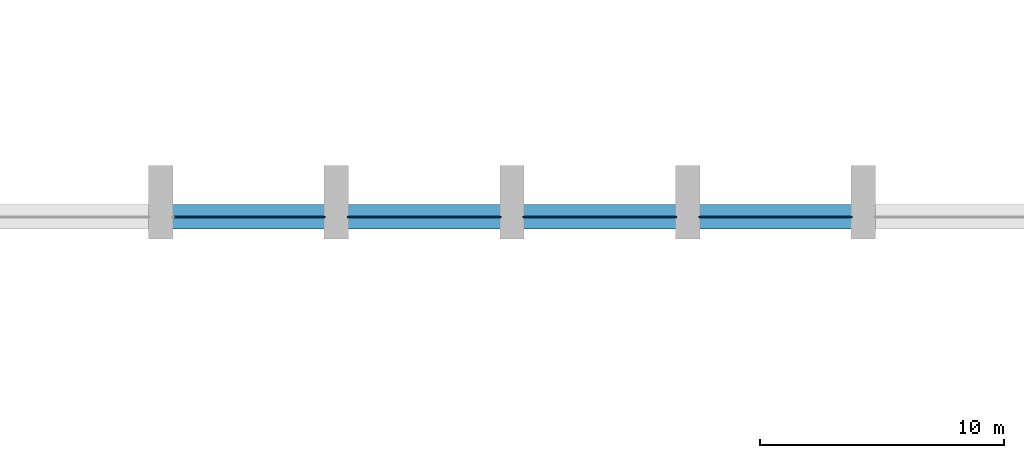
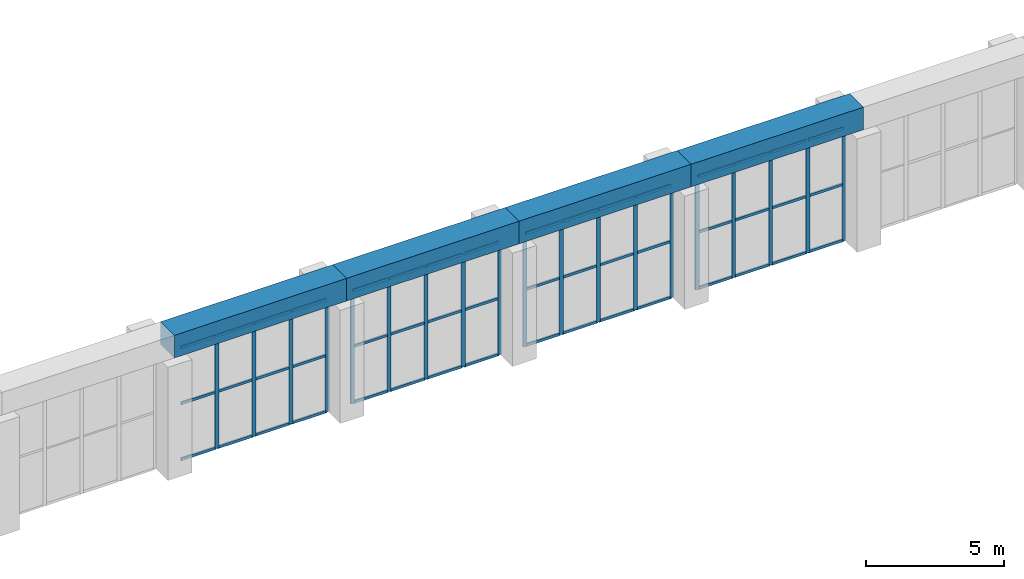
# One storey, part 8 of 44: 67 members, 4 beams, 4 elements without a shape of their own.
"""IFC4 building model written with IfcOpenShell, lengths in metres."""

from ifc_helpers import new_model, si_unit, direction, frame, origin, origin_2d, place, context, subcontext, project, spatial, rectangle, extrude, material, material_profile, profile_set, type_object, element, aggregate, save


model = new_model("IFC4")

# Units and contexts
model_context = context("Model", 3, precision=1e-05, world=origin(), true_north=direction((0.0, 1.0)))
body_context = subcontext(model_context, "Body", "Model", "MODEL_VIEW")
ifc_project = project(units=[si_unit("LENGTHUNIT", "METRE"), si_unit("AREAUNIT", "SQUARE_METRE"), si_unit("VOLUMEUNIT", "CUBIC_METRE"), si_unit("PLANEANGLEUNIT", "RADIAN"), si_unit("MASSUNIT", "GRAM", prefix="KILO")], contexts=[model_context])

# Site, building, storey
site_placement = place(None, origin())
site = spatial("IfcSite", under=ifc_project, at=site_placement, CompositionType="ELEMENT")
building_placement = place(site_placement, origin())
building = spatial("IfcBuilding", under=site, at=building_placement, Name="Vermilion Court Aquatics Centre", CompositionType="ELEMENT")
storey_placement = place(building_placement, frame((0.0, 0.0, 6.0)))
storey = spatial("IfcBuildingStorey", under=building, at=storey_placement, Name="L01", CompositionType="ELEMENT", Elevation=6.0)

# Curtain wall, members
ifc_material_1 = material(Name="Aluminium 6063-T5", Category="aluminium")
curtain_wall_type = type_object("IfcCurtainWallType", Name="Envelope curtain wall hall clerestory L01", PredefinedType="NOTDEFINED", material=ifc_material_1)
curtain_wall_1_placement = place(storey_placement, origin())
curtain_wall_1 = element("IfcCurtainWall", 1, at=curtain_wall_1_placement, inside=storey, type_object=curtain_wall_type, Name="Hall clerestory bay 3 L01", PredefinedType="NOTDEFINED")
ifc_material_2 = material(Name="Aluminium 6063-T5", Category="aluminium")
ifc_material_profile_1 = material_profile(ifc_material_2, rectangle(XDim=0.06005859375, YDim=0.159912109375, at=origin_2d()), Name="AL 60x160")
ifc_profile_set_1 = profile_set([ifc_material_profile_1], Name="Aluminium 6063-T5")
member_type_1 = type_object("IfcMemberType", Name="Envelope aluminium mullion 60x160", PredefinedType="MULLION", material=ifc_profile_set_1)
member_1_placement = place(storey_placement, frame((30.85009765625, 64.800048828125, 0.0), z_axis=(0.0, 0.0, 1.0), x_axis=(0.0, 1.0, 0.0)))
member_1 = element("IfcMember", 2, at=member_1_placement, type_object=member_type_1, Name="ECW2 mullion 2", PredefinedType="MULLION", context=body_context, shape_type="SweptSolid", body=[
    extrude(rectangle(XDim=0.06005859375, YDim=0.159912109375, at=origin_2d()), origin(), (0.0, 0.0, 1.0), 5.0),
])
member_2_placement = place(storey_placement, frame((32.39990234375, 64.800048828125, 0.0), z_axis=(0.0, 0.0, 1.0), x_axis=(0.0, 1.0, 0.0)))
member_2 = element("IfcMember", 3, at=member_2_placement, type_object=member_type_1, Name="ECW2 mullion 3", PredefinedType="MULLION", context=body_context, shape_type="SweptSolid", body=[
    extrude(rectangle(XDim=0.06005859375, YDim=0.159912109375, at=origin_2d()), origin(), (0.0, 0.0, 1.0), 5.0),
])
member_3_placement = place(storey_placement, frame((33.949951171875, 64.800048828125, 0.0), z_axis=(0.0, 0.0, 1.0), x_axis=(0.0, 1.0, 0.0)))
member_3 = element("IfcMember", 4, at=member_3_placement, type_object=member_type_1, Name="ECW2 mullion 4", PredefinedType="MULLION", context=body_context, shape_type="SweptSolid", body=[
    extrude(rectangle(XDim=0.06005859375, YDim=0.159912109375, at=origin_2d()), origin(), (0.0, 0.0, 1.0), 5.0),
])
member_4_placement = place(storey_placement, frame((35.469970703125, 64.800048828125, 0.0), z_axis=(0.0, 0.0, 1.0), x_axis=(0.0, 1.0, 0.0)))
member_4 = element("IfcMember", 5, at=member_4_placement, type_object=member_type_1, Name="ECW2 mullion 5", PredefinedType="MULLION", context=body_context, shape_type="SweptSolid", body=[
    extrude(rectangle(XDim=0.06005859375, YDim=0.159912109375, at=origin_2d()), origin(), (0.0, 0.0, 1.0), 5.0),
])

curtain_wall_2_placement = place(storey_placement, origin())
curtain_wall_2 = element("IfcCurtainWall", 6, at=curtain_wall_2_placement, inside=storey, type_object=curtain_wall_type, Name="Hall clerestory bay 4 L01", PredefinedType="NOTDEFINED")
member_5_placement = place(storey_placement, frame((36.530029296875, 64.800048828125, 0.0), z_axis=(0.0, 0.0, 1.0), x_axis=(0.0, 1.0, 0.0)))
member_5 = element("IfcMember", 7, at=member_5_placement, type_object=member_type_1, Name="ECW2 mullion 1", PredefinedType="MULLION", context=body_context, shape_type="SweptSolid", body=[
    extrude(rectangle(XDim=0.06005859375, YDim=0.159912109375, at=origin_2d()), origin(), (0.0, 0.0, 1.0), 5.0),
])
member_6_placement = place(storey_placement, frame((38.050048828125, 64.800048828125, 0.0), z_axis=(0.0, 0.0, 1.0), x_axis=(0.0, 1.0, 0.0)))
member_6 = element("IfcMember", 8, at=member_6_placement, type_object=member_type_1, Name="ECW2 mullion 2", PredefinedType="MULLION", context=body_context, shape_type="SweptSolid", body=[
    extrude(rectangle(XDim=0.06005859375, YDim=0.159912109375, at=origin_2d()), origin(), (0.0, 0.0, 1.0), 5.0),
])
member_7_placement = place(storey_placement, frame((39.60009765625, 64.800048828125, 0.0), z_axis=(0.0, 0.0, 1.0), x_axis=(0.0, 1.0, 0.0)))
member_7 = element("IfcMember", 9, at=member_7_placement, type_object=member_type_1, Name="ECW2 mullion 3", PredefinedType="MULLION", context=body_context, shape_type="SweptSolid", body=[
    extrude(rectangle(XDim=0.06005859375, YDim=0.159912109375, at=origin_2d()), origin(), (0.0, 0.0, 1.0), 5.0),
])
member_8_placement = place(storey_placement, frame((41.14990234375, 64.800048828125, 0.0), z_axis=(0.0, 0.0, 1.0), x_axis=(0.0, 1.0, 0.0)))
member_8 = element("IfcMember", 10, at=member_8_placement, type_object=member_type_1, Name="ECW2 mullion 4", PredefinedType="MULLION", context=body_context, shape_type="SweptSolid", body=[
    extrude(rectangle(XDim=0.06005859375, YDim=0.159912109375, at=origin_2d()), origin(), (0.0, 0.0, 1.0), 5.0),
])
member_9_placement = place(storey_placement, frame((42.669921875, 64.800048828125, 0.0), z_axis=(0.0, 0.0, 1.0), x_axis=(0.0, 1.0, 0.0)))
member_9 = element("IfcMember", 11, at=member_9_placement, type_object=member_type_1, Name="ECW2 mullion 5", PredefinedType="MULLION", context=body_context, shape_type="SweptSolid", body=[
    extrude(rectangle(XDim=0.06005859375, YDim=0.159912109375, at=origin_2d()), origin(), (0.0, 0.0, 1.0), 5.0),
])

curtain_wall_3_placement = place(storey_placement, origin())
curtain_wall_3 = element("IfcCurtainWall", 12, at=curtain_wall_3_placement, inside=storey, type_object=curtain_wall_type, Name="Hall clerestory bay 5 L01", PredefinedType="NOTDEFINED")
member_10_placement = place(storey_placement, frame((43.72998046875, 64.800048828125, 0.0), z_axis=(0.0, 0.0, 1.0), x_axis=(0.0, 1.0, 0.0)))
member_10 = element("IfcMember", 13, at=member_10_placement, type_object=member_type_1, Name="ECW2 mullion 1", PredefinedType="MULLION", context=body_context, shape_type="SweptSolid", body=[
    extrude(rectangle(XDim=0.06005859375, YDim=0.159912109375, at=origin_2d()), origin(), (0.0, 0.0, 1.0), 5.0),
])
member_11_placement = place(storey_placement, frame((45.25, 64.800048828125, 0.0), z_axis=(0.0, 0.0, 1.0), x_axis=(0.0, 1.0, 0.0)))
member_11 = element("IfcMember", 14, at=member_11_placement, type_object=member_type_1, Name="ECW2 mullion 2", PredefinedType="MULLION", context=body_context, shape_type="SweptSolid", body=[
    extrude(rectangle(XDim=0.06005859375, YDim=0.159912109375, at=origin_2d()), origin(), (0.0, 0.0, 1.0), 5.0),
])
member_12_placement = place(storey_placement, frame((46.800048828125, 64.800048828125, 0.0), z_axis=(0.0, 0.0, 1.0), x_axis=(0.0, 1.0, 0.0)))
member_12 = element("IfcMember", 15, at=member_12_placement, type_object=member_type_1, Name="ECW2 mullion 3", PredefinedType="MULLION", context=body_context, shape_type="SweptSolid", body=[
    extrude(rectangle(XDim=0.06005859375, YDim=0.159912109375, at=origin_2d()), origin(), (0.0, 0.0, 1.0), 5.0),
])
member_13_placement = place(storey_placement, frame((48.35009765625, 64.800048828125, 0.0), z_axis=(0.0, 0.0, 1.0), x_axis=(0.0, 1.0, 0.0)))
member_13 = element("IfcMember", 16, at=member_13_placement, type_object=member_type_1, Name="ECW2 mullion 4", PredefinedType="MULLION", context=body_context, shape_type="SweptSolid", body=[
    extrude(rectangle(XDim=0.06005859375, YDim=0.159912109375, at=origin_2d()), origin(), (0.0, 0.0, 1.0), 5.0),
])
member_14_placement = place(storey_placement, frame((49.8701171875, 64.800048828125, 0.0), z_axis=(0.0, 0.0, 1.0), x_axis=(0.0, 1.0, 0.0)))
member_14 = element("IfcMember", 17, at=member_14_placement, type_object=member_type_1, Name="ECW2 mullion 5", PredefinedType="MULLION", context=body_context, shape_type="SweptSolid", body=[
    extrude(rectangle(XDim=0.06005859375, YDim=0.159912109375, at=origin_2d()), origin(), (0.0, 0.0, 1.0), 5.0),
])

curtain_wall_4_placement = place(storey_placement, origin())
curtain_wall_4 = element("IfcCurtainWall", 18, at=curtain_wall_4_placement, inside=storey, type_object=curtain_wall_type, Name="Hall clerestory bay 6 L01", PredefinedType="NOTDEFINED")
member_15_placement = place(storey_placement, frame((50.929931640625, 64.800048828125, 0.0), z_axis=(0.0, 0.0, 1.0), x_axis=(0.0, 1.0, 0.0)))
member_15 = element("IfcMember", 19, at=member_15_placement, type_object=member_type_1, Name="ECW2 mullion 1", PredefinedType="MULLION", context=body_context, shape_type="SweptSolid", body=[
    extrude(rectangle(XDim=0.06005859375, YDim=0.159912109375, at=origin_2d()), origin(), (0.0, 0.0, 1.0), 5.0),
])
member_16_placement = place(storey_placement, frame((52.449951171875, 64.800048828125, 0.0), z_axis=(0.0, 0.0, 1.0), x_axis=(0.0, 1.0, 0.0)))
member_16 = element("IfcMember", 20, at=member_16_placement, type_object=member_type_1, Name="ECW2 mullion 2", PredefinedType="MULLION", context=body_context, shape_type="SweptSolid", body=[
    extrude(rectangle(XDim=0.06005859375, YDim=0.159912109375, at=origin_2d()), origin(), (0.0, 0.0, 1.0), 5.0),
])
member_17_placement = place(storey_placement, frame((54.0, 64.800048828125, 0.0), z_axis=(0.0, 0.0, 1.0), x_axis=(0.0, 1.0, 0.0)))
member_17 = element("IfcMember", 21, at=member_17_placement, type_object=member_type_1, Name="ECW2 mullion 3", PredefinedType="MULLION", context=body_context, shape_type="SweptSolid", body=[
    extrude(rectangle(XDim=0.06005859375, YDim=0.159912109375, at=origin_2d()), origin(), (0.0, 0.0, 1.0), 5.0),
])
member_18_placement = place(storey_placement, frame((55.550048828125, 64.800048828125, 0.0), z_axis=(0.0, 0.0, 1.0), x_axis=(0.0, 1.0, 0.0)))
member_18 = element("IfcMember", 22, at=member_18_placement, type_object=member_type_1, Name="ECW2 mullion 4", PredefinedType="MULLION", context=body_context, shape_type="SweptSolid", body=[
    extrude(rectangle(XDim=0.06005859375, YDim=0.159912109375, at=origin_2d()), origin(), (0.0, 0.0, 1.0), 5.0),
])
member_19_placement = place(storey_placement, frame((57.070068359375, 64.800048828125, 0.0), z_axis=(0.0, 0.0, 1.0), x_axis=(0.0, 1.0, 0.0)))
member_19 = element("IfcMember", 23, at=member_19_placement, type_object=member_type_1, Name="ECW2 mullion 5", PredefinedType="MULLION", context=body_context, shape_type="SweptSolid", body=[
    extrude(rectangle(XDim=0.06005859375, YDim=0.159912109375, at=origin_2d()), origin(), (0.0, 0.0, 1.0), 5.0),
])

# Member
ifc_material_3 = material(Name="Aluminium 6063-T5", Category="aluminium")
ifc_material_profile_2 = material_profile(ifc_material_3, rectangle(XDim=0.06005859375, YDim=0.1201171875, at=origin_2d()), Name="AL 60x120")
ifc_profile_set_2 = profile_set([ifc_material_profile_2], Name="Aluminium 6063-T5")
member_type_2 = type_object("IfcMemberType", Name="Envelope aluminium transom 60x120", PredefinedType="USERDEFINED", material=ifc_profile_set_2)
member_20_placement = place(storey_placement, frame((29.360107421875, 64.800048828125, 0.030029296875), z_axis=(1.0, 0.0, 0.0), x_axis=(0.0, 1.0, 0.0)))
member_20 = element("IfcMember", 24, at=member_20_placement, type_object=member_type_2, Name="ECW2 transom 1.1", ObjectType="TRANSOM", PredefinedType="USERDEFINED", context=body_context, shape_type="SweptSolid", body=[
    extrude(rectangle(XDim=0.06005859375, YDim=0.1201171875, at=origin_2d()), origin(), (0.0, 0.0, 1.0), 1.4599609375),
])

member_21_placement = place(storey_placement, frame((29.360107421875, 64.800048828125, 2.5), z_axis=(1.0, 0.0, 0.0), x_axis=(0.0, 1.0, 0.0)))
member_21 = element("IfcMember", 25, at=member_21_placement, type_object=member_type_2, Name="ECW2 transom 1.2", ObjectType="TRANSOM", PredefinedType="USERDEFINED", context=body_context, shape_type="SweptSolid", body=[
    extrude(rectangle(XDim=0.06005859375, YDim=0.1201171875, at=origin_2d()), origin(), (0.0, 0.0, 1.0), 1.4599609375),
])

member_22_placement = place(storey_placement, frame((29.360107421875, 64.800048828125, 4.969970703125), z_axis=(1.0, 0.0, 0.0), x_axis=(0.0, 1.0, 0.0)))
member_22 = element("IfcMember", 26, at=member_22_placement, type_object=member_type_2, Name="ECW2 transom 1.3", ObjectType="TRANSOM", PredefinedType="USERDEFINED", context=body_context, shape_type="SweptSolid", body=[
    extrude(rectangle(XDim=0.06005859375, YDim=0.1201171875, at=origin_2d()), origin(), (0.0, 0.0, 1.0), 1.4599609375),
])

member_23_placement = place(storey_placement, frame((30.8798828125, 64.800048828125, 0.030029296875), z_axis=(1.0, 0.0, 0.0), x_axis=(0.0, 1.0, 0.0)))
member_23 = element("IfcMember", 27, at=member_23_placement, type_object=member_type_2, Name="ECW2 transom 2.1", ObjectType="TRANSOM", PredefinedType="USERDEFINED", context=body_context, shape_type="SweptSolid", body=[
    extrude(rectangle(XDim=0.06005859375, YDim=0.1201171875, at=origin_2d()), origin(), (0.0, 0.0, 1.0), 1.490234375),
])

member_24_placement = place(storey_placement, frame((30.8798828125, 64.800048828125, 2.5), z_axis=(1.0, 0.0, 0.0), x_axis=(0.0, 1.0, 0.0)))
member_24 = element("IfcMember", 28, at=member_24_placement, type_object=member_type_2, Name="ECW2 transom 2.2", ObjectType="TRANSOM", PredefinedType="USERDEFINED", context=body_context, shape_type="SweptSolid", body=[
    extrude(rectangle(XDim=0.06005859375, YDim=0.1201171875, at=origin_2d()), origin(), (0.0, 0.0, 1.0), 1.490234375),
])

member_25_placement = place(storey_placement, frame((30.8798828125, 64.800048828125, 4.969970703125), z_axis=(1.0, 0.0, 0.0), x_axis=(0.0, 1.0, 0.0)))
member_25 = element("IfcMember", 29, at=member_25_placement, type_object=member_type_2, Name="ECW2 transom 2.3", ObjectType="TRANSOM", PredefinedType="USERDEFINED", context=body_context, shape_type="SweptSolid", body=[
    extrude(rectangle(XDim=0.06005859375, YDim=0.1201171875, at=origin_2d()), origin(), (0.0, 0.0, 1.0), 1.490234375),
])

member_26_placement = place(storey_placement, frame((32.429931640625, 64.800048828125, 0.030029296875), z_axis=(1.0, 0.0, 0.0), x_axis=(0.0, 1.0, 0.0)))
member_26 = element("IfcMember", 30, at=member_26_placement, type_object=member_type_2, Name="ECW2 transom 3.1", ObjectType="TRANSOM", PredefinedType="USERDEFINED", context=body_context, shape_type="SweptSolid", body=[
    extrude(rectangle(XDim=0.06005859375, YDim=0.1201171875, at=origin_2d()), origin(), (0.0, 0.0, 1.0), 1.489990234375),
])

member_27_placement = place(storey_placement, frame((32.429931640625, 64.800048828125, 2.5), z_axis=(1.0, 0.0, 0.0), x_axis=(0.0, 1.0, 0.0)))
member_27 = element("IfcMember", 31, at=member_27_placement, type_object=member_type_2, Name="ECW2 transom 3.2", ObjectType="TRANSOM", PredefinedType="USERDEFINED", context=body_context, shape_type="SweptSolid", body=[
    extrude(rectangle(XDim=0.06005859375, YDim=0.1201171875, at=origin_2d()), origin(), (0.0, 0.0, 1.0), 1.489990234375),
])

member_28_placement = place(storey_placement, frame((32.429931640625, 64.800048828125, 4.969970703125), z_axis=(1.0, 0.0, 0.0), x_axis=(0.0, 1.0, 0.0)))
member_28 = element("IfcMember", 32, at=member_28_placement, type_object=member_type_2, Name="ECW2 transom 3.3", ObjectType="TRANSOM", PredefinedType="USERDEFINED", context=body_context, shape_type="SweptSolid", body=[
    extrude(rectangle(XDim=0.06005859375, YDim=0.1201171875, at=origin_2d()), origin(), (0.0, 0.0, 1.0), 1.489990234375),
])

member_29_placement = place(storey_placement, frame((33.97998046875, 64.800048828125, 0.030029296875), z_axis=(1.0, 0.0, 0.0), x_axis=(0.0, 1.0, 0.0)))
member_29 = element("IfcMember", 33, at=member_29_placement, type_object=member_type_2, Name="ECW2 transom 4.1", ObjectType="TRANSOM", PredefinedType="USERDEFINED", context=body_context, shape_type="SweptSolid", body=[
    extrude(rectangle(XDim=0.06005859375, YDim=0.1201171875, at=origin_2d()), origin(), (0.0, 0.0, 1.0), 1.4599609375),
])

member_30_placement = place(storey_placement, frame((33.97998046875, 64.800048828125, 2.5), z_axis=(1.0, 0.0, 0.0), x_axis=(0.0, 1.0, 0.0)))
member_30 = element("IfcMember", 34, at=member_30_placement, type_object=member_type_2, Name="ECW2 transom 4.2", ObjectType="TRANSOM", PredefinedType="USERDEFINED", context=body_context, shape_type="SweptSolid", body=[
    extrude(rectangle(XDim=0.06005859375, YDim=0.1201171875, at=origin_2d()), origin(), (0.0, 0.0, 1.0), 1.4599609375),
])

member_31_placement = place(storey_placement, frame((33.97998046875, 64.800048828125, 4.969970703125), z_axis=(1.0, 0.0, 0.0), x_axis=(0.0, 1.0, 0.0)))
member_31 = element("IfcMember", 35, at=member_31_placement, type_object=member_type_2, Name="ECW2 transom 4.3", ObjectType="TRANSOM", PredefinedType="USERDEFINED", context=body_context, shape_type="SweptSolid", body=[
    extrude(rectangle(XDim=0.06005859375, YDim=0.1201171875, at=origin_2d()), origin(), (0.0, 0.0, 1.0), 1.4599609375),
])

aggregate(curtain_wall_1, [member_1, member_2, member_3, member_4, member_20, member_21, member_22, member_23, member_24, member_25, member_26, member_27, member_28, member_29, member_30, member_31])

member_32_placement = place(storey_placement, frame((36.56005859375, 64.800048828125, 0.030029296875), z_axis=(1.0, 0.0, 0.0), x_axis=(0.0, 1.0, 0.0)))
member_32 = element("IfcMember", 36, at=member_32_placement, type_object=member_type_2, Name="ECW2 transom 1.1", ObjectType="TRANSOM", PredefinedType="USERDEFINED", context=body_context, shape_type="SweptSolid", body=[
    extrude(rectangle(XDim=0.06005859375, YDim=0.1201171875, at=origin_2d()), origin(), (0.0, 0.0, 1.0), 1.4599609375),
])

member_33_placement = place(storey_placement, frame((36.56005859375, 64.800048828125, 2.5), z_axis=(1.0, 0.0, 0.0), x_axis=(0.0, 1.0, 0.0)))
member_33 = element("IfcMember", 37, at=member_33_placement, type_object=member_type_2, Name="ECW2 transom 1.2", ObjectType="TRANSOM", PredefinedType="USERDEFINED", context=body_context, shape_type="SweptSolid", body=[
    extrude(rectangle(XDim=0.06005859375, YDim=0.1201171875, at=origin_2d()), origin(), (0.0, 0.0, 1.0), 1.4599609375),
])

member_34_placement = place(storey_placement, frame((36.56005859375, 64.800048828125, 4.969970703125), z_axis=(1.0, 0.0, 0.0), x_axis=(0.0, 1.0, 0.0)))
member_34 = element("IfcMember", 38, at=member_34_placement, type_object=member_type_2, Name="ECW2 transom 1.3", ObjectType="TRANSOM", PredefinedType="USERDEFINED", context=body_context, shape_type="SweptSolid", body=[
    extrude(rectangle(XDim=0.06005859375, YDim=0.1201171875, at=origin_2d()), origin(), (0.0, 0.0, 1.0), 1.4599609375),
])

member_35_placement = place(storey_placement, frame((38.080078125, 64.800048828125, 0.030029296875), z_axis=(1.0, 0.0, 0.0), x_axis=(0.0, 1.0, 0.0)))
member_35 = element("IfcMember", 39, at=member_35_placement, type_object=member_type_2, Name="ECW2 transom 2.1", ObjectType="TRANSOM", PredefinedType="USERDEFINED", context=body_context, shape_type="SweptSolid", body=[
    extrude(rectangle(XDim=0.06005859375, YDim=0.1201171875, at=origin_2d()), origin(), (0.0, 0.0, 1.0), 1.489990234375),
])

member_36_placement = place(storey_placement, frame((38.080078125, 64.800048828125, 2.5), z_axis=(1.0, 0.0, 0.0), x_axis=(0.0, 1.0, 0.0)))
member_36 = element("IfcMember", 40, at=member_36_placement, type_object=member_type_2, Name="ECW2 transom 2.2", ObjectType="TRANSOM", PredefinedType="USERDEFINED", context=body_context, shape_type="SweptSolid", body=[
    extrude(rectangle(XDim=0.06005859375, YDim=0.1201171875, at=origin_2d()), origin(), (0.0, 0.0, 1.0), 1.489990234375),
])

member_37_placement = place(storey_placement, frame((38.080078125, 64.800048828125, 4.969970703125), z_axis=(1.0, 0.0, 0.0), x_axis=(0.0, 1.0, 0.0)))
member_37 = element("IfcMember", 41, at=member_37_placement, type_object=member_type_2, Name="ECW2 transom 2.3", ObjectType="TRANSOM", PredefinedType="USERDEFINED", context=body_context, shape_type="SweptSolid", body=[
    extrude(rectangle(XDim=0.06005859375, YDim=0.1201171875, at=origin_2d()), origin(), (0.0, 0.0, 1.0), 1.489990234375),
])

member_38_placement = place(storey_placement, frame((39.6298828125, 64.800048828125, 0.030029296875), z_axis=(1.0, 0.0, 0.0), x_axis=(0.0, 1.0, 0.0)))
member_38 = element("IfcMember", 42, at=member_38_placement, type_object=member_type_2, Name="ECW2 transom 3.1", ObjectType="TRANSOM", PredefinedType="USERDEFINED", context=body_context, shape_type="SweptSolid", body=[
    extrude(rectangle(XDim=0.06005859375, YDim=0.1201171875, at=origin_2d()), origin(), (0.0, 0.0, 1.0), 1.490234375),
])

member_39_placement = place(storey_placement, frame((39.6298828125, 64.800048828125, 2.5), z_axis=(1.0, 0.0, 0.0), x_axis=(0.0, 1.0, 0.0)))
member_39 = element("IfcMember", 43, at=member_39_placement, type_object=member_type_2, Name="ECW2 transom 3.2", ObjectType="TRANSOM", PredefinedType="USERDEFINED", context=body_context, shape_type="SweptSolid", body=[
    extrude(rectangle(XDim=0.06005859375, YDim=0.1201171875, at=origin_2d()), origin(), (0.0, 0.0, 1.0), 1.490234375),
])

member_40_placement = place(storey_placement, frame((39.6298828125, 64.800048828125, 4.969970703125), z_axis=(1.0, 0.0, 0.0), x_axis=(0.0, 1.0, 0.0)))
member_40 = element("IfcMember", 44, at=member_40_placement, type_object=member_type_2, Name="ECW2 transom 3.3", ObjectType="TRANSOM", PredefinedType="USERDEFINED", context=body_context, shape_type="SweptSolid", body=[
    extrude(rectangle(XDim=0.06005859375, YDim=0.1201171875, at=origin_2d()), origin(), (0.0, 0.0, 1.0), 1.490234375),
])

member_41_placement = place(storey_placement, frame((41.179931640625, 64.800048828125, 0.030029296875), z_axis=(1.0, 0.0, 0.0), x_axis=(0.0, 1.0, 0.0)))
member_41 = element("IfcMember", 45, at=member_41_placement, type_object=member_type_2, Name="ECW2 transom 4.1", ObjectType="TRANSOM", PredefinedType="USERDEFINED", context=body_context, shape_type="SweptSolid", body=[
    extrude(rectangle(XDim=0.06005859375, YDim=0.1201171875, at=origin_2d()), origin(), (0.0, 0.0, 1.0), 1.4599609375),
])

member_42_placement = place(storey_placement, frame((41.179931640625, 64.800048828125, 2.5), z_axis=(1.0, 0.0, 0.0), x_axis=(0.0, 1.0, 0.0)))
member_42 = element("IfcMember", 46, at=member_42_placement, type_object=member_type_2, Name="ECW2 transom 4.2", ObjectType="TRANSOM", PredefinedType="USERDEFINED", context=body_context, shape_type="SweptSolid", body=[
    extrude(rectangle(XDim=0.06005859375, YDim=0.1201171875, at=origin_2d()), origin(), (0.0, 0.0, 1.0), 1.4599609375),
])

member_43_placement = place(storey_placement, frame((41.179931640625, 64.800048828125, 4.969970703125), z_axis=(1.0, 0.0, 0.0), x_axis=(0.0, 1.0, 0.0)))
member_43 = element("IfcMember", 47, at=member_43_placement, type_object=member_type_2, Name="ECW2 transom 4.3", ObjectType="TRANSOM", PredefinedType="USERDEFINED", context=body_context, shape_type="SweptSolid", body=[
    extrude(rectangle(XDim=0.06005859375, YDim=0.1201171875, at=origin_2d()), origin(), (0.0, 0.0, 1.0), 1.4599609375),
])

aggregate(curtain_wall_2, [member_5, member_6, member_7, member_8, member_9, member_32, member_33, member_34, member_35, member_36, member_37, member_38, member_39, member_40, member_41, member_42, member_43])

member_44_placement = place(storey_placement, frame((43.760009765625, 64.800048828125, 0.030029296875), z_axis=(1.0, 0.0, 0.0), x_axis=(0.0, 1.0, 0.0)))
member_44 = element("IfcMember", 48, at=member_44_placement, type_object=member_type_2, Name="ECW2 transom 1.1", ObjectType="TRANSOM", PredefinedType="USERDEFINED", context=body_context, shape_type="SweptSolid", body=[
    extrude(rectangle(XDim=0.06005859375, YDim=0.1201171875, at=origin_2d()), origin(), (0.0, 0.0, 1.0), 1.4599609375),
])

member_45_placement = place(storey_placement, frame((43.760009765625, 64.800048828125, 2.5), z_axis=(1.0, 0.0, 0.0), x_axis=(0.0, 1.0, 0.0)))
member_45 = element("IfcMember", 49, at=member_45_placement, type_object=member_type_2, Name="ECW2 transom 1.2", ObjectType="TRANSOM", PredefinedType="USERDEFINED", context=body_context, shape_type="SweptSolid", body=[
    extrude(rectangle(XDim=0.06005859375, YDim=0.1201171875, at=origin_2d()), origin(), (0.0, 0.0, 1.0), 1.4599609375),
])

member_46_placement = place(storey_placement, frame((43.760009765625, 64.800048828125, 4.969970703125), z_axis=(1.0, 0.0, 0.0), x_axis=(0.0, 1.0, 0.0)))
member_46 = element("IfcMember", 50, at=member_46_placement, type_object=member_type_2, Name="ECW2 transom 1.3", ObjectType="TRANSOM", PredefinedType="USERDEFINED", context=body_context, shape_type="SweptSolid", body=[
    extrude(rectangle(XDim=0.06005859375, YDim=0.1201171875, at=origin_2d()), origin(), (0.0, 0.0, 1.0), 1.4599609375),
])

member_47_placement = place(storey_placement, frame((45.280029296875, 64.800048828125, 0.030029296875), z_axis=(1.0, 0.0, 0.0), x_axis=(0.0, 1.0, 0.0)))
member_47 = element("IfcMember", 51, at=member_47_placement, type_object=member_type_2, Name="ECW2 transom 2.1", ObjectType="TRANSOM", PredefinedType="USERDEFINED", context=body_context, shape_type="SweptSolid", body=[
    extrude(rectangle(XDim=0.06005859375, YDim=0.1201171875, at=origin_2d()), origin(), (0.0, 0.0, 1.0), 1.489990234375),
])

member_48_placement = place(storey_placement, frame((45.280029296875, 64.800048828125, 2.5), z_axis=(1.0, 0.0, 0.0), x_axis=(0.0, 1.0, 0.0)))
member_48 = element("IfcMember", 52, at=member_48_placement, type_object=member_type_2, Name="ECW2 transom 2.2", ObjectType="TRANSOM", PredefinedType="USERDEFINED", context=body_context, shape_type="SweptSolid", body=[
    extrude(rectangle(XDim=0.06005859375, YDim=0.1201171875, at=origin_2d()), origin(), (0.0, 0.0, 1.0), 1.489990234375),
])

member_49_placement = place(storey_placement, frame((45.280029296875, 64.800048828125, 4.969970703125), z_axis=(1.0, 0.0, 0.0), x_axis=(0.0, 1.0, 0.0)))
member_49 = element("IfcMember", 53, at=member_49_placement, type_object=member_type_2, Name="ECW2 transom 2.3", ObjectType="TRANSOM", PredefinedType="USERDEFINED", context=body_context, shape_type="SweptSolid", body=[
    extrude(rectangle(XDim=0.06005859375, YDim=0.1201171875, at=origin_2d()), origin(), (0.0, 0.0, 1.0), 1.489990234375),
])

member_50_placement = place(storey_placement, frame((46.830078125, 64.800048828125, 0.030029296875), z_axis=(1.0, 0.0, 0.0), x_axis=(0.0, 1.0, 0.0)))
member_50 = element("IfcMember", 54, at=member_50_placement, type_object=member_type_2, Name="ECW2 transom 3.1", ObjectType="TRANSOM", PredefinedType="USERDEFINED", context=body_context, shape_type="SweptSolid", body=[
    extrude(rectangle(XDim=0.06005859375, YDim=0.1201171875, at=origin_2d()), origin(), (0.0, 0.0, 1.0), 1.489990234375),
])

member_51_placement = place(storey_placement, frame((46.830078125, 64.800048828125, 2.5), z_axis=(1.0, 0.0, 0.0), x_axis=(0.0, 1.0, 0.0)))
member_51 = element("IfcMember", 55, at=member_51_placement, type_object=member_type_2, Name="ECW2 transom 3.2", ObjectType="TRANSOM", PredefinedType="USERDEFINED", context=body_context, shape_type="SweptSolid", body=[
    extrude(rectangle(XDim=0.06005859375, YDim=0.1201171875, at=origin_2d()), origin(), (0.0, 0.0, 1.0), 1.489990234375),
])

member_52_placement = place(storey_placement, frame((46.830078125, 64.800048828125, 4.969970703125), z_axis=(1.0, 0.0, 0.0), x_axis=(0.0, 1.0, 0.0)))
member_52 = element("IfcMember", 56, at=member_52_placement, type_object=member_type_2, Name="ECW2 transom 3.3", ObjectType="TRANSOM", PredefinedType="USERDEFINED", context=body_context, shape_type="SweptSolid", body=[
    extrude(rectangle(XDim=0.06005859375, YDim=0.1201171875, at=origin_2d()), origin(), (0.0, 0.0, 1.0), 1.489990234375),
])

member_53_placement = place(storey_placement, frame((48.3798828125, 64.800048828125, 0.030029296875), z_axis=(1.0, 0.0, 0.0), x_axis=(0.0, 1.0, 0.0)))
member_53 = element("IfcMember", 57, at=member_53_placement, type_object=member_type_2, Name="ECW2 transom 4.1", ObjectType="TRANSOM", PredefinedType="USERDEFINED", context=body_context, shape_type="SweptSolid", body=[
    extrude(rectangle(XDim=0.06005859375, YDim=0.1201171875, at=origin_2d()), origin(), (0.0, 0.0, 1.0), 1.460205078125),
])

member_54_placement = place(storey_placement, frame((48.3798828125, 64.800048828125, 2.5), z_axis=(1.0, 0.0, 0.0), x_axis=(0.0, 1.0, 0.0)))
member_54 = element("IfcMember", 58, at=member_54_placement, type_object=member_type_2, Name="ECW2 transom 4.2", ObjectType="TRANSOM", PredefinedType="USERDEFINED", context=body_context, shape_type="SweptSolid", body=[
    extrude(rectangle(XDim=0.06005859375, YDim=0.1201171875, at=origin_2d()), origin(), (0.0, 0.0, 1.0), 1.460205078125),
])

member_55_placement = place(storey_placement, frame((48.3798828125, 64.800048828125, 4.969970703125), z_axis=(1.0, 0.0, 0.0), x_axis=(0.0, 1.0, 0.0)))
member_55 = element("IfcMember", 59, at=member_55_placement, type_object=member_type_2, Name="ECW2 transom 4.3", ObjectType="TRANSOM", PredefinedType="USERDEFINED", context=body_context, shape_type="SweptSolid", body=[
    extrude(rectangle(XDim=0.06005859375, YDim=0.1201171875, at=origin_2d()), origin(), (0.0, 0.0, 1.0), 1.460205078125),
])

aggregate(curtain_wall_3, [member_10, member_11, member_12, member_13, member_14, member_44, member_45, member_46, member_47, member_48, member_49, member_50, member_51, member_52, member_53, member_54, member_55])

member_56_placement = place(storey_placement, frame((50.9599609375, 64.800048828125, 0.030029296875), z_axis=(1.0, 0.0, 0.0), x_axis=(0.0, 1.0, 0.0)))
member_56 = element("IfcMember", 60, at=member_56_placement, type_object=member_type_2, Name="ECW2 transom 1.1", ObjectType="TRANSOM", PredefinedType="USERDEFINED", context=body_context, shape_type="SweptSolid", body=[
    extrude(rectangle(XDim=0.06005859375, YDim=0.1201171875, at=origin_2d()), origin(), (0.0, 0.0, 1.0), 1.4599609375),
])

member_57_placement = place(storey_placement, frame((50.9599609375, 64.800048828125, 2.5), z_axis=(1.0, 0.0, 0.0), x_axis=(0.0, 1.0, 0.0)))
member_57 = element("IfcMember", 61, at=member_57_placement, type_object=member_type_2, Name="ECW2 transom 1.2", ObjectType="TRANSOM", PredefinedType="USERDEFINED", context=body_context, shape_type="SweptSolid", body=[
    extrude(rectangle(XDim=0.06005859375, YDim=0.1201171875, at=origin_2d()), origin(), (0.0, 0.0, 1.0), 1.4599609375),
])

member_58_placement = place(storey_placement, frame((50.9599609375, 64.800048828125, 4.969970703125), z_axis=(1.0, 0.0, 0.0), x_axis=(0.0, 1.0, 0.0)))
member_58 = element("IfcMember", 62, at=member_58_placement, type_object=member_type_2, Name="ECW2 transom 1.3", ObjectType="TRANSOM", PredefinedType="USERDEFINED", context=body_context, shape_type="SweptSolid", body=[
    extrude(rectangle(XDim=0.06005859375, YDim=0.1201171875, at=origin_2d()), origin(), (0.0, 0.0, 1.0), 1.4599609375),
])

member_59_placement = place(storey_placement, frame((52.47998046875, 64.800048828125, 0.030029296875), z_axis=(1.0, 0.0, 0.0), x_axis=(0.0, 1.0, 0.0)))
member_59 = element("IfcMember", 63, at=member_59_placement, type_object=member_type_2, Name="ECW2 transom 2.1", ObjectType="TRANSOM", PredefinedType="USERDEFINED", context=body_context, shape_type="SweptSolid", body=[
    extrude(rectangle(XDim=0.06005859375, YDim=0.1201171875, at=origin_2d()), origin(), (0.0, 0.0, 1.0), 1.489990234375),
])

member_60_placement = place(storey_placement, frame((52.47998046875, 64.800048828125, 2.5), z_axis=(1.0, 0.0, 0.0), x_axis=(0.0, 1.0, 0.0)))
member_60 = element("IfcMember", 64, at=member_60_placement, type_object=member_type_2, Name="ECW2 transom 2.2", ObjectType="TRANSOM", PredefinedType="USERDEFINED", context=body_context, shape_type="SweptSolid", body=[
    extrude(rectangle(XDim=0.06005859375, YDim=0.1201171875, at=origin_2d()), origin(), (0.0, 0.0, 1.0), 1.489990234375),
])

member_61_placement = place(storey_placement, frame((52.47998046875, 64.800048828125, 4.969970703125), z_axis=(1.0, 0.0, 0.0), x_axis=(0.0, 1.0, 0.0)))
member_61 = element("IfcMember", 65, at=member_61_placement, type_object=member_type_2, Name="ECW2 transom 2.3", ObjectType="TRANSOM", PredefinedType="USERDEFINED", context=body_context, shape_type="SweptSolid", body=[
    extrude(rectangle(XDim=0.06005859375, YDim=0.1201171875, at=origin_2d()), origin(), (0.0, 0.0, 1.0), 1.489990234375),
])

member_62_placement = place(storey_placement, frame((54.030029296875, 64.800048828125, 0.030029296875), z_axis=(1.0, 0.0, 0.0), x_axis=(0.0, 1.0, 0.0)))
member_62 = element("IfcMember", 66, at=member_62_placement, type_object=member_type_2, Name="ECW2 transom 3.1", ObjectType="TRANSOM", PredefinedType="USERDEFINED", context=body_context, shape_type="SweptSolid", body=[
    extrude(rectangle(XDim=0.06005859375, YDim=0.1201171875, at=origin_2d()), origin(), (0.0, 0.0, 1.0), 1.489990234375),
])

member_63_placement = place(storey_placement, frame((54.030029296875, 64.800048828125, 2.5), z_axis=(1.0, 0.0, 0.0), x_axis=(0.0, 1.0, 0.0)))
member_63 = element("IfcMember", 67, at=member_63_placement, type_object=member_type_2, Name="ECW2 transom 3.2", ObjectType="TRANSOM", PredefinedType="USERDEFINED", context=body_context, shape_type="SweptSolid", body=[
    extrude(rectangle(XDim=0.06005859375, YDim=0.1201171875, at=origin_2d()), origin(), (0.0, 0.0, 1.0), 1.489990234375),
])

member_64_placement = place(storey_placement, frame((54.030029296875, 64.800048828125, 4.969970703125), z_axis=(1.0, 0.0, 0.0), x_axis=(0.0, 1.0, 0.0)))
member_64 = element("IfcMember", 68, at=member_64_placement, type_object=member_type_2, Name="ECW2 transom 3.3", ObjectType="TRANSOM", PredefinedType="USERDEFINED", context=body_context, shape_type="SweptSolid", body=[
    extrude(rectangle(XDim=0.06005859375, YDim=0.1201171875, at=origin_2d()), origin(), (0.0, 0.0, 1.0), 1.489990234375),
])

member_65_placement = place(storey_placement, frame((55.580078125, 64.800048828125, 0.030029296875), z_axis=(1.0, 0.0, 0.0), x_axis=(0.0, 1.0, 0.0)))
member_65 = element("IfcMember", 69, at=member_65_placement, type_object=member_type_2, Name="ECW2 transom 4.1", ObjectType="TRANSOM", PredefinedType="USERDEFINED", context=body_context, shape_type="SweptSolid", body=[
    extrude(rectangle(XDim=0.06005859375, YDim=0.1201171875, at=origin_2d()), origin(), (0.0, 0.0, 1.0), 1.4599609375),
])

member_66_placement = place(storey_placement, frame((55.580078125, 64.800048828125, 2.5), z_axis=(1.0, 0.0, 0.0), x_axis=(0.0, 1.0, 0.0)))
member_66 = element("IfcMember", 70, at=member_66_placement, type_object=member_type_2, Name="ECW2 transom 4.2", ObjectType="TRANSOM", PredefinedType="USERDEFINED", context=body_context, shape_type="SweptSolid", body=[
    extrude(rectangle(XDim=0.06005859375, YDim=0.1201171875, at=origin_2d()), origin(), (0.0, 0.0, 1.0), 1.4599609375),
])

member_67_placement = place(storey_placement, frame((55.580078125, 64.800048828125, 4.969970703125), z_axis=(1.0, 0.0, 0.0), x_axis=(0.0, 1.0, 0.0)))
member_67 = element("IfcMember", 71, at=member_67_placement, type_object=member_type_2, Name="ECW2 transom 4.3", ObjectType="TRANSOM", PredefinedType="USERDEFINED", context=body_context, shape_type="SweptSolid", body=[
    extrude(rectangle(XDim=0.06005859375, YDim=0.1201171875, at=origin_2d()), origin(), (0.0, 0.0, 1.0), 1.4599609375),
])

aggregate(curtain_wall_4, [member_15, member_16, member_17, member_18, member_19, member_56, member_57, member_58, member_59, member_60, member_61, member_62, member_63, member_64, member_65, member_66, member_67])

# Beams
ifc_material_4 = material(Name="Concrete 5000 psi", Category="concrete")
ifc_material_profile_3 = material_profile(ifc_material_4, rectangle(XDim=1.0, YDim=1.0, at=origin_2d()), Name="RC 1000x1000")
ifc_profile_set_3 = profile_set([ifc_material_profile_3], Name="Concrete 5000 psi")
beam_type = type_object("IfcBeamType", Name="Roof springing tie beam north (clear span between piers)", PredefinedType="BEAM", material=ifc_profile_set_3)
for number, where, z_axis, x_axis, name in (
    (72, (28.800048828125, 64.800048828125, 5.5), (1.0, 0.0, 0.0), (0.0, 1.0, 0.0), "Springing tie beam STN03"),
    (73, (36.0, 64.800048828125, 5.5), (1.0, 0.0, 0.0), (0.0, 1.0, 0.0), "Springing tie beam STN04"),
    (74, (43.199951171875, 64.800048828125, 5.5), (1.0, 0.0, 0.0), (0.0, 1.0, 0.0), "Springing tie beam STN05"),
):
    element("IfcBeam", number, at=place(storey_placement, frame(where, z_axis=z_axis, x_axis=x_axis)), inside=storey, type_object=beam_type, Name=name, PredefinedType="BEAM", context=body_context, shape_type="SweptSolid", body=[
        extrude(rectangle(XDim=1.0, YDim=1.0, at=origin_2d()), origin(), (0.0, 0.0, 1.0), 7.199951171875),
    ])
beam_placement = place(storey_placement, frame((50.39990234375, 64.800048828125, 5.5), z_axis=(1.0, 0.0, 0.0), x_axis=(0.0, 1.0, 0.0)))
element("IfcBeam", 75, at=beam_placement, inside=storey, type_object=beam_type, Name="Springing tie beam STN06", PredefinedType="BEAM", context=body_context, shape_type="SweptSolid", body=[
    extrude(rectangle(XDim=1.0, YDim=1.0, at=origin_2d()), origin(), (0.0, 0.0, 1.0), 7.2001953125),
])

save(model, "model.ifc")
